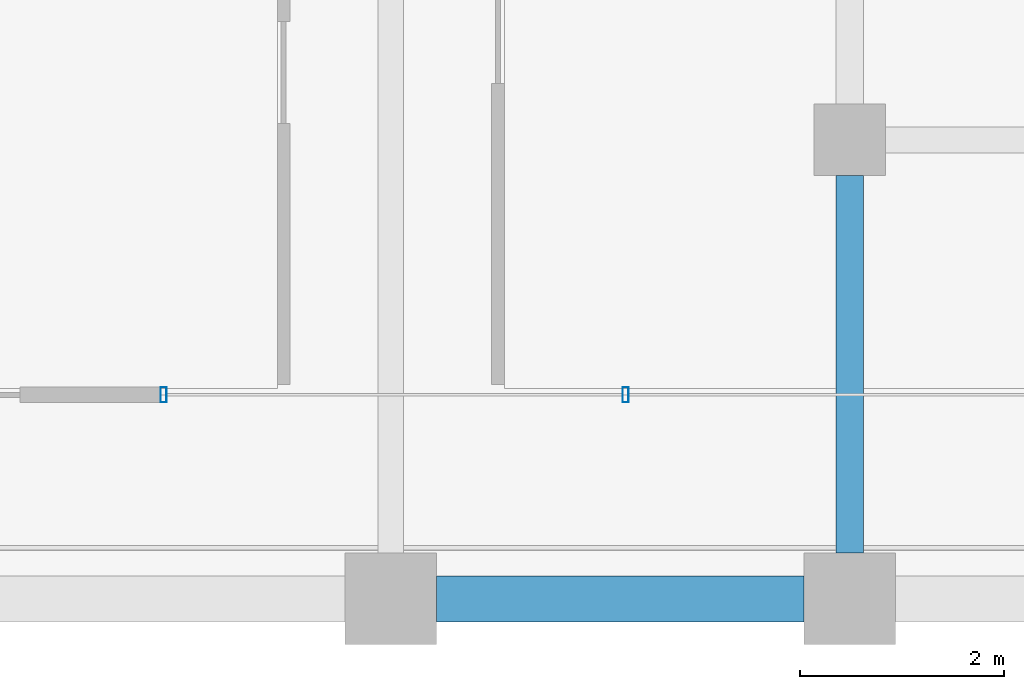
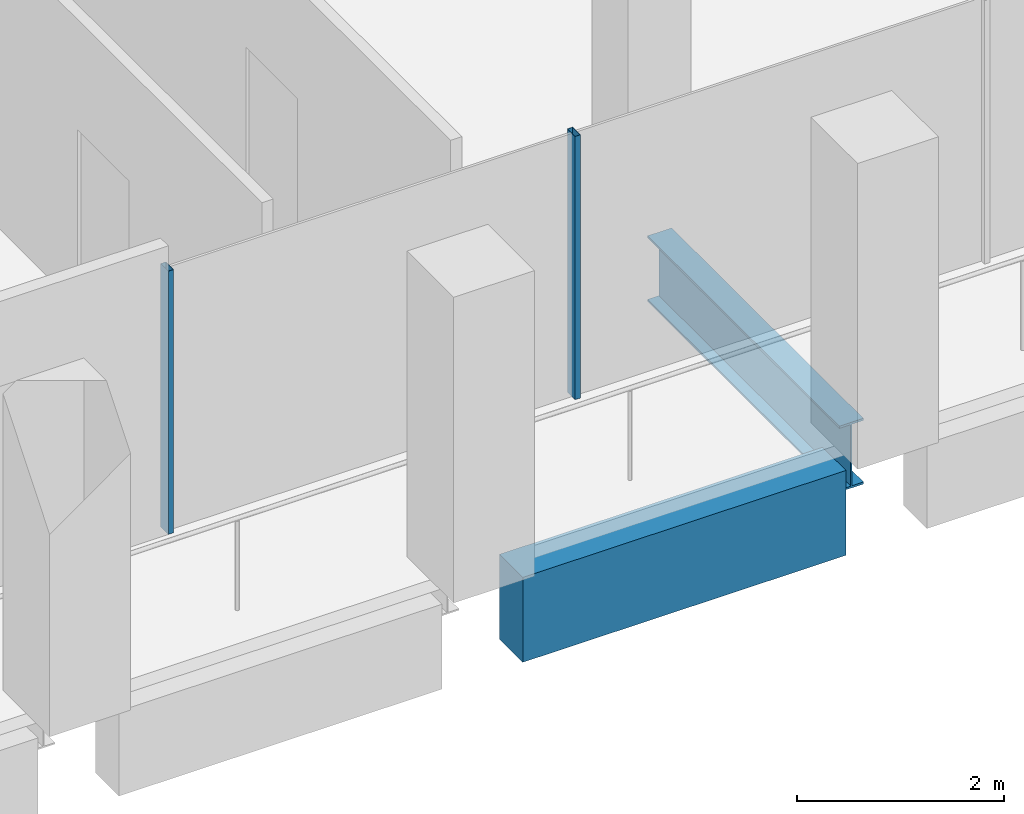
# One storey, part 9 of 40: 2 beams, 2 members, 1 element without a shape of its own.
"""IFC4 building model written with IfcOpenShell, lengths in metres."""

from ifc_helpers import new_model, si_unit, direction, frame, origin, origin_2d, place, context, subcontext, project, spatial, rectangle, hollow_rectangle, i_section, extrude, material, material_profile, profile_set, type_object, element, aggregate, save


model = new_model("IFC4")

# Units and contexts
model_context = context("Model", 3, precision=1e-05, world=origin(), true_north=direction((0.0, 1.0)))
body_context = subcontext(model_context, "Body", "Model", "MODEL_VIEW")
ifc_project = project(units=[si_unit("LENGTHUNIT", "METRE"), si_unit("AREAUNIT", "SQUARE_METRE"), si_unit("VOLUMEUNIT", "CUBIC_METRE"), si_unit("PLANEANGLEUNIT", "RADIAN"), si_unit("MASSUNIT", "GRAM", prefix="KILO")], contexts=[model_context])

# Site, building, storey
site_placement = place(None, origin())
site = spatial("IfcSite", under=ifc_project, at=site_placement, CompositionType="ELEMENT")
building_placement = place(site_placement, origin())
building = spatial("IfcBuilding", under=site, at=building_placement, Name="Altepetl Exchange Towers", CompositionType="ELEMENT")
storey_placement = place(building_placement, frame((0.0, 0.0, 187.0)))
storey = spatial("IfcBuildingStorey", under=building, at=storey_placement, Name="L47", CompositionType="ELEMENT", Elevation=187.0)

# Beam
ifc_material_1 = material(Name="Steel S355", Category="steel")
ifc_material_profile_1 = material_profile(ifc_material_1, i_section(OverallWidth=0.26806640625, OverallDepth=0.77392578125, WebThickness=0.015380859375, FlangeThickness=0.025390625, at=origin_2d()), Name="W30X132")
ifc_profile_set_1 = profile_set([ifc_material_profile_1], Name="Steel S355")
beam_type_1 = type_object("IfcBeamType", Name="Girder W30X132", PredefinedType="BEAM", material=ifc_profile_set_1)
beam_1_placement = place(storey_placement, frame((58.5, 31.14990234375, -0.537109375), z_axis=(0.0, -1.0, 0.0), x_axis=(1.0, 0.0, 0.0)))
element("IfcBeam", 1, at=beam_1_placement, inside=storey, type_object=beam_type_1, Name="gd:A:L47:005", PredefinedType="BEAM", context=body_context, shape_type="SweptSolid", body=[
    extrude(i_section(OverallWidth=0.26806640625, OverallDepth=0.77392578125, WebThickness=0.015380859375, FlangeThickness=0.025390625, at=origin_2d()), origin(), (0.0, 0.0, 1.0), 3.699951171875),
])

# Curtain wall, members
ifc_material_2 = material(Name="Aluminium 6063-T6 glazing", Category="aluminium")
curtain_wall_type = type_object("IfcCurtainWallType", Name="Loggia glazing system", PredefinedType="NOTDEFINED", material=ifc_material_2)
curtain_wall_placement = place(storey_placement, origin())
curtain_wall = element("IfcCurtainWall", 2, at=curtain_wall_placement, inside=storey, type_object=curtain_wall_type, Name="CW1 run", PredefinedType="NOTDEFINED")
ifc_material_3 = material(Name="Aluminium 6063-T6", Category="aluminium")
ifc_material_profile_2 = material_profile(ifc_material_3, hollow_rectangle(XDim=0.06005859375, YDim=0.14990234375, WallThickness=0.0029296875, at=origin_2d()), Name="Mullion 60x150 aluminium")
ifc_profile_set_2 = profile_set([ifc_material_profile_2], Name="Aluminium 6063-T6")
member_type = type_object("IfcMemberType", Name="Mullion 60x150 aluminium", PredefinedType="MULLION", material=ifc_profile_set_2)
member_1_placement = place(storey_placement, frame((51.77294921875, 29.0, 0.0)))
member_1 = element("IfcMember", 3, at=member_1_placement, type_object=member_type, Name="MU1 mullion", PredefinedType="MULLION", context=body_context, shape_type="SweptSolid", body=[
    extrude(hollow_rectangle(XDim=0.06005859375, YDim=0.14990234375, WallThickness=0.0029296875, at=origin_2d()), origin(), (0.0, 0.0, 1.0), 3.10009765625),
])
member_2_placement = place(storey_placement, frame((56.303466796875, 29.0, 0.0)))
member_2 = element("IfcMember", 4, at=member_2_placement, type_object=member_type, Name="MU1 mullion", PredefinedType="MULLION", context=body_context, shape_type="SweptSolid", body=[
    extrude(hollow_rectangle(XDim=0.06005859375, YDim=0.14990234375, WallThickness=0.0029296875, at=origin_2d()), origin(), (0.0, 0.0, 1.0), 3.10009765625),
])
aggregate(curtain_wall, [member_1, member_2])

# Beam
ifc_material_4 = material(Name="Concrete C50/60 precast with cantera blanca facing", Category="concrete")
ifc_material_profile_3 = material_profile(ifc_material_4, rectangle(XDim=0.449951171875, YDim=1.0, at=origin_2d()), Name="450 x 1000")
ifc_profile_set_3 = profile_set([ifc_material_profile_3], Name="Concrete C50/60 precast with cantera blanca facing")
beam_type_2 = type_object("IfcBeamType", Name="Spandrel beam 450x1000 cantera blanca", PredefinedType="SPANDREL", material=ifc_profile_set_3)
beam_2_placement = place(storey_placement, frame((54.449951171875, 27.0, -0.64990234375), z_axis=(1.0, 0.0, 0.0), x_axis=(0.0, 1.0, 0.0)))
element("IfcBeam", 5, at=beam_2_placement, inside=storey, type_object=beam_type_2, Name="sp:A:L47:005", PredefinedType="SPANDREL", context=body_context, shape_type="SweptSolid", body=[
    extrude(rectangle(XDim=0.449951171875, YDim=1.0, at=origin_2d()), origin(), (0.0, 0.0, 1.0), 3.60009765625),
])

save(model, "model.ifc")
